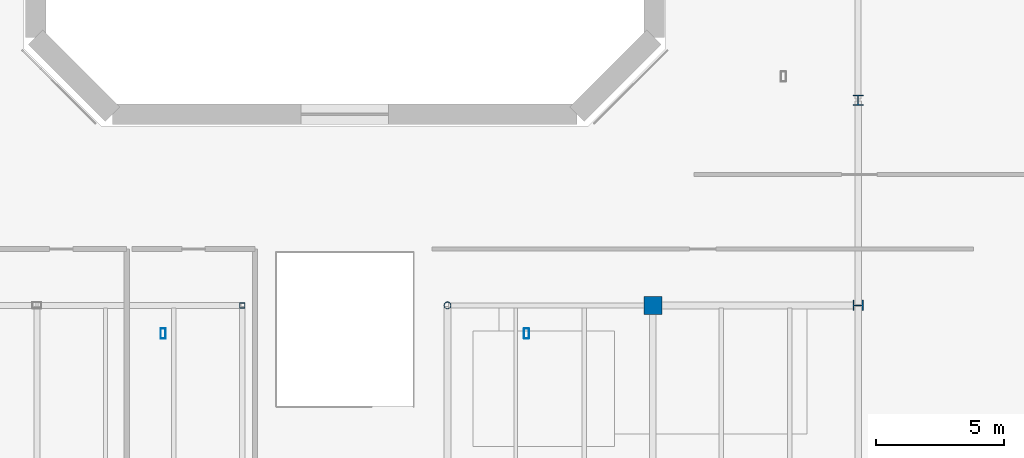
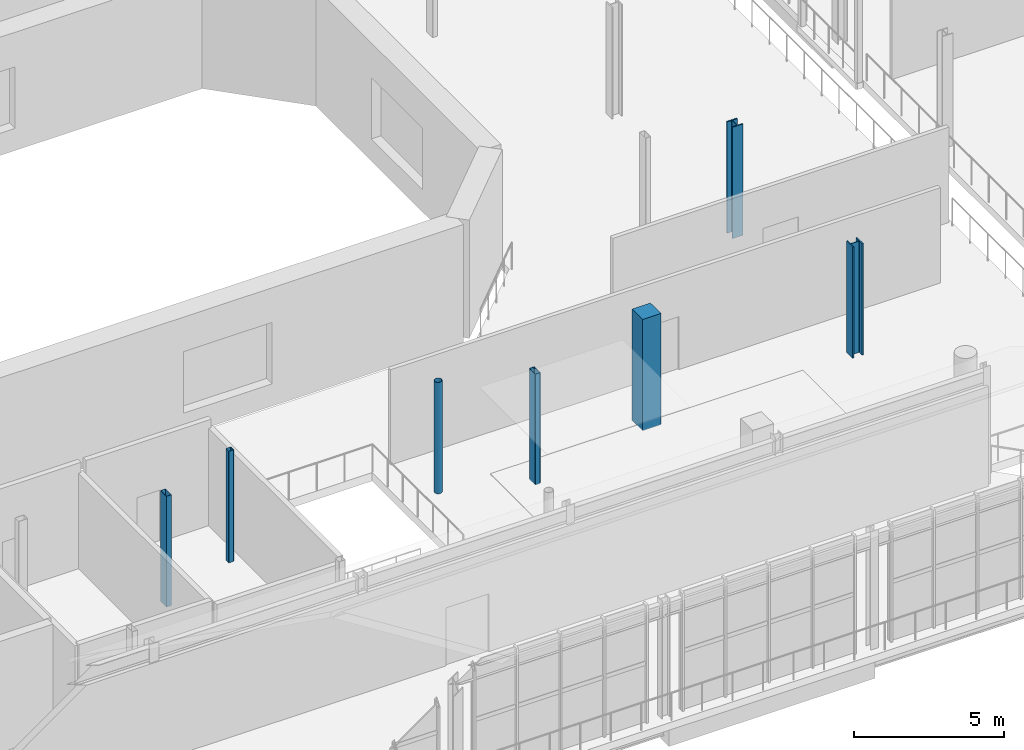
# One storey, part 13 of 93: 7 columns.
"""IFC4 building model written with IfcOpenShell, lengths in metres."""

from ifc_helpers import new_model, si_unit, direction, frame, origin, origin_2d, place, context, subcontext, project, spatial, rectangle, hollow_rectangle, hollow_circle, i_section, extrude, material, material_profile, profile_set, type_object, element, save


model = new_model("IFC4")

# Units and contexts
model_context = context("Model", 3, precision=1e-05, world=origin(), true_north=direction((0.0, 1.0)))
body_context = subcontext(model_context, "Body", "Model", "MODEL_VIEW")
ifc_project = project(units=[si_unit("LENGTHUNIT", "METRE"), si_unit("AREAUNIT", "SQUARE_METRE"), si_unit("VOLUMEUNIT", "CUBIC_METRE"), si_unit("PLANEANGLEUNIT", "RADIAN"), si_unit("MASSUNIT", "GRAM", prefix="KILO")], contexts=[model_context])

# Site, building, storey
site_placement = place(None, origin())
site = spatial("IfcSite", under=ifc_project, at=site_placement, CompositionType="ELEMENT")
building_placement = place(site_placement, origin())
building = spatial("IfcBuilding", under=site, at=building_placement, Name="Brisemont Oceanarium", CompositionType="ELEMENT")
storey_placement = place(building_placement, frame((0.0, 0.0, 5.39990234375)))
storey = spatial("IfcBuildingStorey", under=building, at=storey_placement, Name="L01", CompositionType="ELEMENT", Elevation=5.39990234375)

# Columns
ifc_material_1 = material(Name="Structural Steel ASTM A500 Gr.C", Category="steel")
ifc_material_profile_1 = material_profile(ifc_material_1, hollow_circle(Radius=0.136474609375, WallThickness=0.01171875, at=origin_2d()), Name="HSS10.750X0.500")
ifc_profile_set_1 = profile_set([ifc_material_profile_1], Name="Structural Steel ASTM A500 Gr.C")
column_type_1 = type_object("IfcColumnType", Name="COL-CHS10", PredefinedType="COLUMN", material=ifc_profile_set_1)
column_1_placement = place(storey_placement, frame((88.0, 40.0, 0.0), z_axis=(0.0, 0.0, 1.0), x_axis=(0.0, 1.0, 0.0)))
element("IfcColumn", 1, at=column_1_placement, inside=storey, type_object=column_type_1, Name="V1 L01 column (4,1)", PredefinedType="COLUMN", context=body_context, shape_type="SweptSolid", body=[
    extrude(hollow_circle(Radius=0.136474609375, WallThickness=0.01171875, at=origin_2d()), origin(), (0.0, 0.0, 1.0), 4.52001953125),
])
ifc_material_2 = material(Name="Structural Steel ASTM A500 Gr.C", Category="steel")
ifc_material_profile_2 = material_profile(ifc_material_2, hollow_rectangle(XDim=0.202880859375, YDim=0.406005859375, WallThickness=0.01171875, InnerFilletRadius=0.01220703125, OuterFilletRadius=0.02392578125, at=origin_2d()), Name="HSS16X8X1/2")
ifc_profile_set_2 = profile_set([ifc_material_profile_2], Name="Structural Steel ASTM A500 Gr.C")
column_type_2 = type_object("IfcColumnType", Name="COL-HSS16X8", PredefinedType="COLUMN", material=ifc_profile_set_2)
for number, where, z_axis, x_axis, name in (
    (2, (76.92041015625, 38.908203125, 0.0), (0.0, 0.0, 1.0), (1.0, 0.0, 0.0), "V1 dome drum pier L01.6"),
    (3, (91.07958984375, 38.908203125, 0.0), (0.0, 0.0, 1.0), (1.0, 0.0, 0.0), "V1 dome drum pier L01.7"),
):
    element("IfcColumn", number, at=place(storey_placement, frame(where, z_axis=z_axis, x_axis=x_axis)), inside=storey, type_object=column_type_2, Name=name, PredefinedType="COLUMN", context=body_context, shape_type="SweptSolid", body=[
        extrude(hollow_rectangle(XDim=0.202880859375, YDim=0.406005859375, WallThickness=0.01171875, InnerFilletRadius=0.01220703125, OuterFilletRadius=0.02392578125, at=origin_2d()), origin(), (0.0, 0.0, 1.0), 4.5),
    ])
ifc_material_3 = material(Name="Structural Steel ASTM A500 Gr.C", Category="steel")
ifc_material_profile_3 = material_profile(ifc_material_3, hollow_rectangle(XDim=0.202880859375, YDim=0.202880859375, WallThickness=0.0087890625, InnerFilletRadius=0.009033203125, OuterFilletRadius=0.01806640625, at=origin_2d()), Name="HSS8X8X3/8")
ifc_profile_set_3 = profile_set([ifc_material_profile_3], Name="Structural Steel ASTM A500 Gr.C")
column_type_3 = type_object("IfcColumnType", Name="COL-HSS8X8", PredefinedType="COLUMN", material=ifc_profile_set_3)
column_2_placement = place(storey_placement, frame((80.0, 40.0, 0.0), z_axis=(0.0, 0.0, 1.0), x_axis=(1.0, 0.0, 0.0)))
element("IfcColumn", 4, at=column_2_placement, inside=storey, type_object=column_type_3, Name="V1 L01 column (3,1)", PredefinedType="COLUMN", context=body_context, shape_type="SweptSolid", body=[
    extrude(hollow_rectangle(XDim=0.202880859375, YDim=0.202880859375, WallThickness=0.0087890625, InnerFilletRadius=0.009033203125, OuterFilletRadius=0.01806640625, at=origin_2d()), origin(), (0.0, 0.0, 1.0), 4.52001953125),
])
ifc_material_4 = material(Name="Concrete C35/45", Category="concrete")
ifc_material_profile_4 = material_profile(ifc_material_4, rectangle(XDim=0.699951171875, YDim=0.699951171875, at=origin_2d()), Name="RC-COL-700X700")
ifc_profile_set_4 = profile_set([ifc_material_profile_4], Name="Concrete C35/45")
column_type_4 = type_object("IfcColumnType", Name="COL-RC700", PredefinedType="COLUMN", material=ifc_profile_set_4)
column_3_placement = place(storey_placement, frame((96.0, 40.0, 0.0), z_axis=(0.0, 0.0, 1.0), x_axis=(1.0, 0.0, 0.0)))
element("IfcColumn", 5, at=column_3_placement, inside=storey, type_object=column_type_4, Name="V1 L01 column (5,1)", PredefinedType="COLUMN", context=body_context, shape_type="SweptSolid", body=[
    extrude(rectangle(XDim=0.699951171875, YDim=0.699951171875, at=origin_2d()), origin(), (0.0, 0.0, 1.0), 4.52001953125),
])
ifc_material_5 = material(Name="Structural Steel ASTM A992 Gr.50", Category="steel")
ifc_material_profile_5 = material_profile(ifc_material_5, i_section(OverallWidth=0.404052734375, OverallDepth=0.406982421875, WebThickness=0.027099609375, FlangeThickness=0.043701171875, FilletRadius=0.014892578125, at=origin_2d()), Name="W14X233")
ifc_profile_set_5 = profile_set([ifc_material_profile_5], Name="Structural Steel ASTM A992 Gr.50")
column_type_5 = type_object("IfcColumnType", Name="COL-W14X233", PredefinedType="COLUMN", material=ifc_profile_set_5)
column_4_placement = place(storey_placement, frame((104.0, 48.0, 0.0), z_axis=(0.0, 0.0, 1.0), x_axis=(1.0, 0.0, 0.0)))
element("IfcColumn", 6, at=column_4_placement, inside=storey, type_object=column_type_5, Name="V1 L01 column (6,2)", PredefinedType="COLUMN", context=body_context, shape_type="SweptSolid", body=[
    extrude(i_section(OverallWidth=0.404052734375, OverallDepth=0.406982421875, WebThickness=0.027099609375, FlangeThickness=0.043701171875, FilletRadius=0.014892578125, at=origin_2d()), origin(), (0.0, 0.0, 1.0), 4.52001953125),
])
ifc_material_6 = material(Name="Structural Steel ASTM A992 Gr.50", Category="steel")
ifc_material_profile_6 = material_profile(ifc_material_6, i_section(OverallWidth=0.406005859375, OverallDepth=0.416015625, WebThickness=0.02978515625, FlangeThickness=0.048095703125, FilletRadius=0.014892578125, at=origin_2d()), Name="W14X257")
ifc_profile_set_6 = profile_set([ifc_material_profile_6], Name="Structural Steel ASTM A992 Gr.50")
column_type_6 = type_object("IfcColumnType", Name="COL-W14X257", PredefinedType="COLUMN", material=ifc_profile_set_6)
column_5_placement = place(storey_placement, frame((104.0, 40.0, 0.0), z_axis=(0.0, 0.0, 1.0), x_axis=(0.0, 1.0, 0.0)))
element("IfcColumn", 7, at=column_5_placement, inside=storey, type_object=column_type_6, Name="V1 L01 column (6,1)", PredefinedType="COLUMN", context=body_context, shape_type="SweptSolid", body=[
    extrude(i_section(OverallWidth=0.406005859375, OverallDepth=0.416015625, WebThickness=0.02978515625, FlangeThickness=0.048095703125, FilletRadius=0.014892578125, at=origin_2d()), origin(), (0.0, 0.0, 1.0), 4.52001953125),
])

save(model, "model.ifc")
